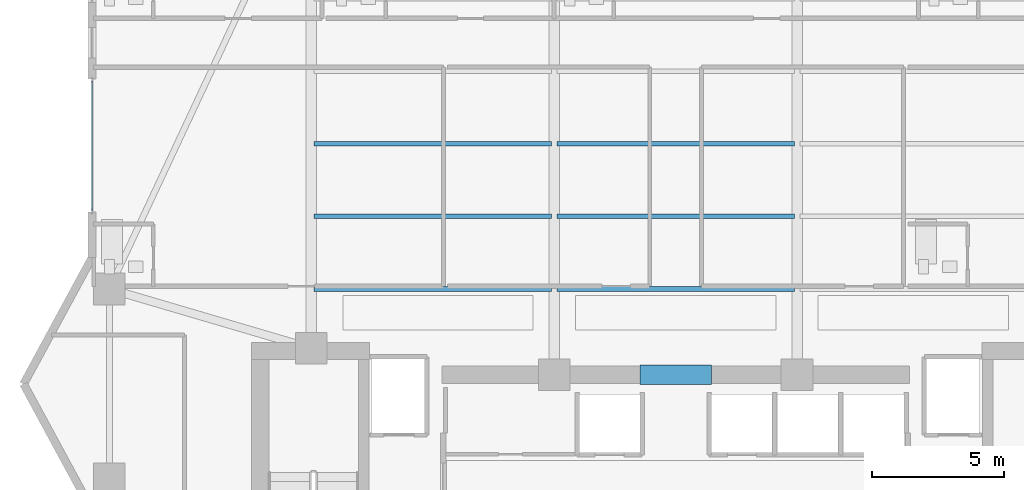
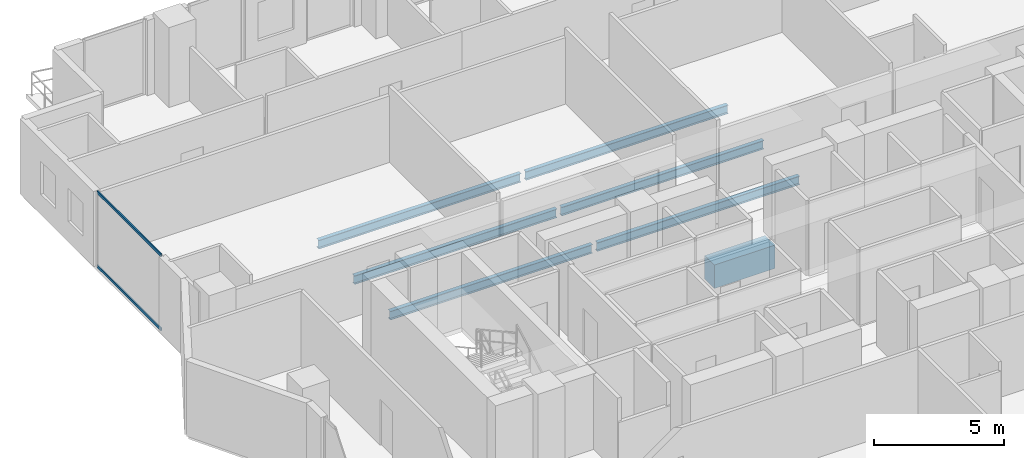
# One storey, part 9 of 32: 7 beams, 2 members, 1 element without a shape of its own.
"""IFC4 building model written with IfcOpenShell, lengths in metres."""

from ifc_helpers import new_model, si_unit, direction, frame, origin, origin_2d, place, context, subcontext, project, spatial, rectangle, hollow_rectangle, i_section, extrude, material, layer, layer_set, material_profile, profile_set, type_object, element, aggregate, save


model = new_model("IFC4")

# Units and contexts
model_context = context("Model", 3, precision=1e-05, world=origin(), true_north=direction((0.0, 1.0)))
body_context = subcontext(model_context, "Body", "Model", "MODEL_VIEW")
ifc_project = project(units=[si_unit("LENGTHUNIT", "METRE"), si_unit("AREAUNIT", "SQUARE_METRE"), si_unit("VOLUMEUNIT", "CUBIC_METRE"), si_unit("PLANEANGLEUNIT", "RADIAN"), si_unit("MASSUNIT", "GRAM", prefix="KILO")], contexts=[model_context])

# Site, building, storey
site_placement = place(None, origin())
site = spatial("IfcSite", under=ifc_project, at=site_placement, CompositionType="ELEMENT")
building_placement = place(site_placement, origin())
building = spatial("IfcBuilding", under=site, at=building_placement, Name="Zuhayl Quay Hotel", CompositionType="ELEMENT")
storey_placement = place(building_placement, frame((0.0, 0.0, 218.64990234375)))
storey = spatial("IfcBuildingStorey", under=building, at=storey_placement, Name="L55", CompositionType="ELEMENT", Elevation=218.64990234375)

# Beams
ifc_material_1 = material(Name="Concrete C60/75", Category="concrete")
ifc_material_profile_1 = material_profile(ifc_material_1, rectangle(XDim=0.75, YDim=1.10009765625, at=origin_2d()), Name="RC750X1100")
ifc_profile_set_1 = profile_set([ifc_material_profile_1], Name="Concrete C60/75")
beam_type_1 = type_object("IfcBeamType", Name="BM_CB2_RC750", PredefinedType="T_BEAM", material=ifc_profile_set_1)
beam_1_placement = place(storey_placement, frame((-1.35009765625, 13.35009765625, -0.77001953125), z_axis=(1.0, 0.0, 0.0), x_axis=(0.0, 1.0, 0.0)))
element("IfcBeam", 1, at=beam_1_placement, inside=storey, type_object=beam_type_1, Name="L55 Core Coupling Beam North", PredefinedType="T_BEAM", context=body_context, shape_type="SweptSolid", body=[
    extrude(rectangle(XDim=0.75, YDim=1.10009765625, at=origin_2d()), origin(), (0.0, 0.0, 1.0), 2.7001953125),
])
ifc_material_2 = material(Name="Steel ASTM A992 Grade 50", Category="steel")
ifc_material_profile_2 = material_profile(ifc_material_2, i_section(OverallWidth=0.177978515625, OverallDepth=0.406005859375, WebThickness=0.0078125, FlangeThickness=0.0126953125, at=origin_2d()), Name="W16X40")
ifc_profile_set_2 = profile_set([ifc_material_profile_2], Name="Steel ASTM A992 Grade 50")
beam_type_2 = type_object("IfcBeamType", Name="BM_J2B_W16X40", PredefinedType="JOIST", material=ifc_profile_set_2)
beam_2_placement = place(storey_placement, frame((-13.694091796875, 16.60009765625, -0.4228515625), z_axis=(1.0, 0.0, 0.0), x_axis=(0.0, 1.0, 0.0)))
element("IfcBeam", 2, at=beam_2_placement, inside=storey, type_object=beam_type_2, Name="L55 Floor Beam FJ_L55_1_1", PredefinedType="JOIST", context=body_context, shape_type="SweptSolid", body=[
    extrude(i_section(OverallWidth=0.177978515625, OverallDepth=0.406005859375, WebThickness=0.0078125, FlangeThickness=0.0126953125, at=origin_2d()), origin(), (0.0, 0.0, 1.0), 8.988037109375),
])
beam_3_placement = place(storey_placement, frame((-4.493896484375, 16.60009765625, -0.4228515625), z_axis=(1.0, 0.0, 0.0), x_axis=(0.0, 1.0, 0.0)))
element("IfcBeam", 3, at=beam_3_placement, inside=storey, type_object=beam_type_2, Name="L55 Floor Beam FJ_L55_1_2", PredefinedType="JOIST", context=body_context, shape_type="SweptSolid", body=[
    extrude(i_section(OverallWidth=0.177978515625, OverallDepth=0.406005859375, WebThickness=0.0078125, FlangeThickness=0.0126953125, at=origin_2d()), origin(), (0.0, 0.0, 1.0), 8.98779296875),
])
beam_4_placement = place(storey_placement, frame((-13.694091796875, 19.35009765625, -0.4228515625), z_axis=(1.0, 0.0, 0.0), x_axis=(0.0, 1.0, 0.0)))
element("IfcBeam", 4, at=beam_4_placement, inside=storey, type_object=beam_type_2, Name="L55 Floor Beam FJ_L55_2_1", PredefinedType="JOIST", context=body_context, shape_type="SweptSolid", body=[
    extrude(i_section(OverallWidth=0.177978515625, OverallDepth=0.406005859375, WebThickness=0.0078125, FlangeThickness=0.0126953125, at=origin_2d()), origin(), (0.0, 0.0, 1.0), 8.988037109375),
])
beam_5_placement = place(storey_placement, frame((-4.493896484375, 19.35009765625, -0.4228515625), z_axis=(1.0, 0.0, 0.0), x_axis=(0.0, 1.0, 0.0)))
element("IfcBeam", 5, at=beam_5_placement, inside=storey, type_object=beam_type_2, Name="L55 Floor Beam FJ_L55_2_2", PredefinedType="JOIST", context=body_context, shape_type="SweptSolid", body=[
    extrude(i_section(OverallWidth=0.177978515625, OverallDepth=0.406005859375, WebThickness=0.0078125, FlangeThickness=0.0126953125, at=origin_2d()), origin(), (0.0, 0.0, 1.0), 8.98779296875),
])
beam_6_placement = place(storey_placement, frame((-13.694091796875, 22.10009765625, -0.4228515625), z_axis=(1.0, 0.0, 0.0), x_axis=(0.0, 1.0, 0.0)))
element("IfcBeam", 6, at=beam_6_placement, inside=storey, type_object=beam_type_2, Name="L55 Floor Beam FJ_L55_3_1", PredefinedType="JOIST", context=body_context, shape_type="SweptSolid", body=[
    extrude(i_section(OverallWidth=0.177978515625, OverallDepth=0.406005859375, WebThickness=0.0078125, FlangeThickness=0.0126953125, at=origin_2d()), origin(), (0.0, 0.0, 1.0), 8.988037109375),
])
beam_7_placement = place(storey_placement, frame((-4.493896484375, 22.10009765625, -0.4228515625), z_axis=(1.0, 0.0, 0.0), x_axis=(0.0, 1.0, 0.0)))
element("IfcBeam", 7, at=beam_7_placement, inside=storey, type_object=beam_type_2, Name="L55 Floor Beam FJ_L55_3_2", PredefinedType="JOIST", context=body_context, shape_type="SweptSolid", body=[
    extrude(i_section(OverallWidth=0.177978515625, OverallDepth=0.406005859375, WebThickness=0.0078125, FlangeThickness=0.0126953125, at=origin_2d()), origin(), (0.0, 0.0, 1.0), 8.98779296875),
])

# Curtain wall, members
ifc_material_3 = material(Name="Anodised Aluminium 6063-T6", Category="aluminium")
ifc_layer = layer(ifc_material_3, 0.175048828125, Name="Anodised Aluminium 6063-T6", Category="aluminium")
ifc_layer_set = layer_set([ifc_layer], Name="Anodised Aluminium 6063-T6")
curtain_wall_type = type_object("IfcCurtainWallType", Name="CW_SYS_Z3", PredefinedType="USERDEFINED", material=ifc_layer_set)
curtain_wall_placement = place(storey_placement, origin())
curtain_wall = element("IfcCurtainWall", 8, at=curtain_wall_placement, inside=storey, type_object=curtain_wall_type, Name="L55 Curtain Wall ENV_L55_E05_CW1", ObjectType="UNITISED CURTAIN WALL", PredefinedType="USERDEFINED")
ifc_material_4 = material(Name="Black-anodised aluminium 6063-T6", Category="aluminium")
ifc_material_profile_3 = material_profile(ifc_material_4, hollow_rectangle(XDim=0.054931640625, YDim=0.1298828125, WallThickness=0.0029296875, at=origin_2d()), Name="ALU130X55")
ifc_profile_set_3 = profile_set([ifc_material_profile_3], Name="Black-anodised aluminium 6063-T6")
member_type = type_object("IfcMemberType", Name="MB_CW_TRN_130", PredefinedType="USERDEFINED", material=ifc_profile_set_3)
member_1_placement = place(storey_placement, frame((-22.10009765625, 19.574951171875, 0.027587890625), z_axis=(0.0, 1.0, 0.0), x_axis=(-1.0, 0.0, 0.0)))
member_1 = element("IfcMember", 9, at=member_1_placement, type_object=member_type, Name="CW-Z3 transom 1.1", ObjectType="TRANSOM", PredefinedType="USERDEFINED", context=body_context, shape_type="SweptSolid", body=[
    extrude(hollow_rectangle(XDim=0.054931640625, YDim=0.1298828125, WallThickness=0.0029296875, at=origin_2d()), origin(), (0.0, 0.0, 1.0), 4.91015625),
])
member_2_placement = place(storey_placement, frame((-22.10009765625, 19.574951171875, 3.502685546875), z_axis=(0.0, 1.0, 0.0), x_axis=(-1.0, 0.0, 0.0)))
member_2 = element("IfcMember", 10, at=member_2_placement, type_object=member_type, Name="CW-Z3 transom 1.2", ObjectType="TRANSOM", PredefinedType="USERDEFINED", context=body_context, shape_type="SweptSolid", body=[
    extrude(hollow_rectangle(XDim=0.054931640625, YDim=0.1298828125, WallThickness=0.0029296875, at=origin_2d()), origin(), (0.0, 0.0, 1.0), 4.91015625),
])
aggregate(curtain_wall, [member_1, member_2])

save(model, "model.ifc")
